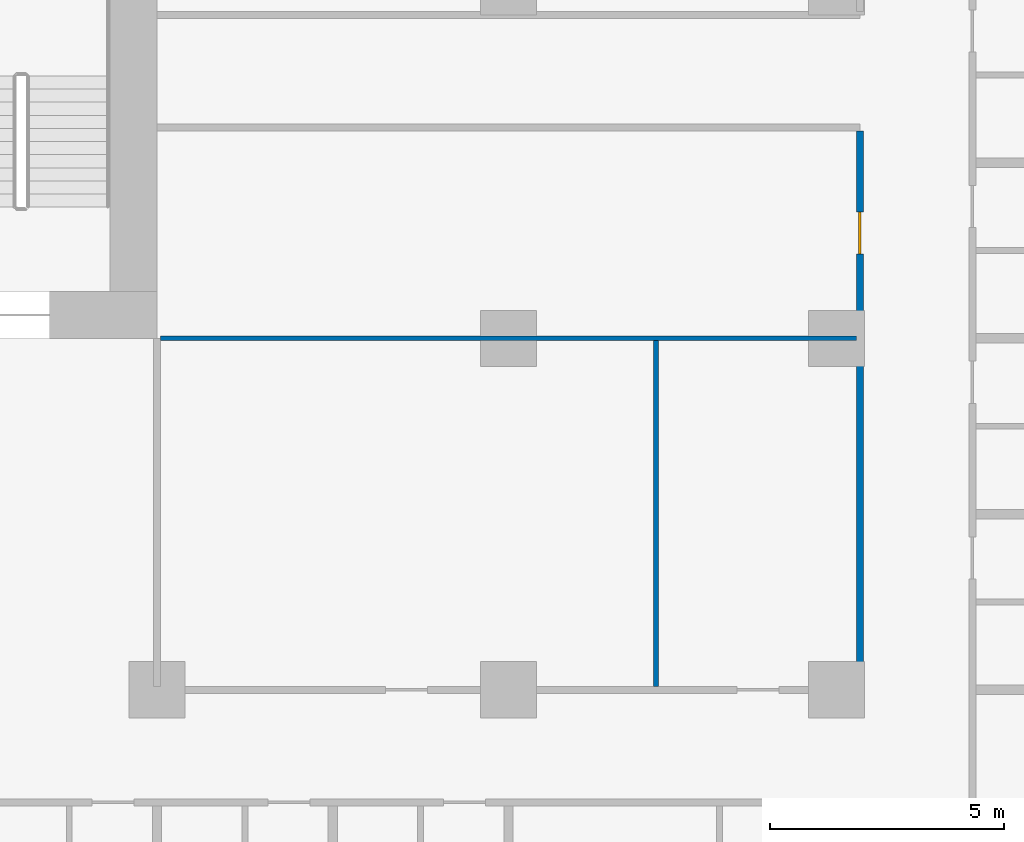
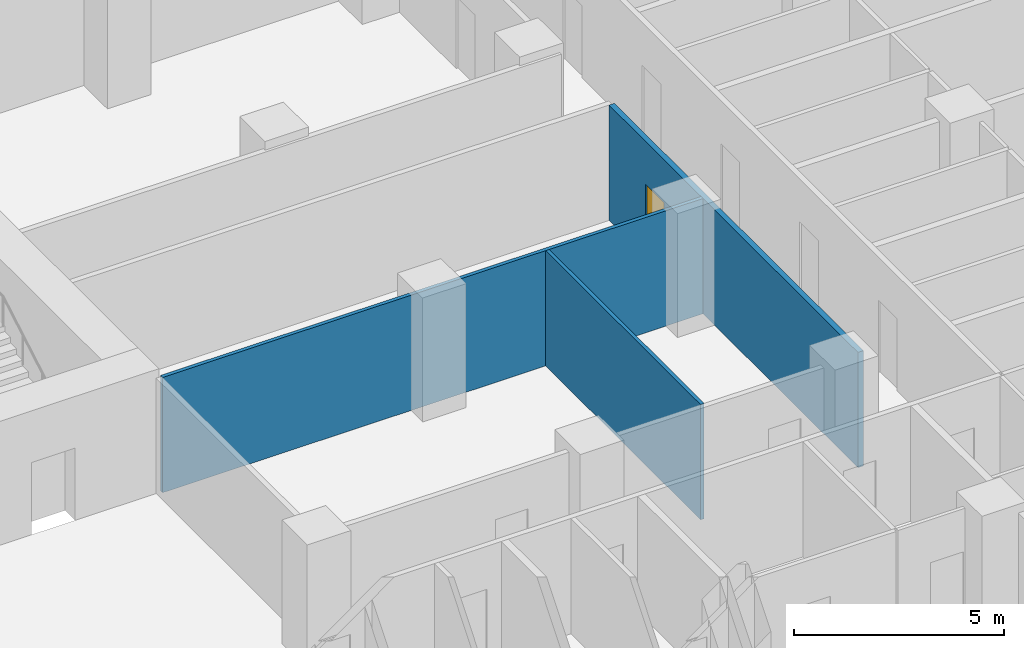
# One storey, part 8 of 27: 3 walls, 1 door, 1 opening.
"""IFC4 building model written with IfcOpenShell, lengths in metres."""

from ifc_helpers import new_model, si_unit, direction, frame, frame_2d, origin, place, context, subcontext, project, spatial, rectangle, extrude, material, layer, layer_set, type_object, element, fill, save


model = new_model("IFC4")

# Units and contexts
model_context = context("Model", 3, precision=1e-05, world=origin(), true_north=direction((0.0, 1.0)))
body_context = subcontext(model_context, "Body", "Model", "MODEL_VIEW")
ifc_project = project(units=[si_unit("LENGTHUNIT", "METRE"), si_unit("AREAUNIT", "SQUARE_METRE"), si_unit("VOLUMEUNIT", "CUBIC_METRE"), si_unit("PLANEANGLEUNIT", "RADIAN"), si_unit("MASSUNIT", "GRAM", prefix="KILO")], contexts=[model_context])

# Site, building, storey
site_placement = place(None, origin())
site = spatial("IfcSite", under=ifc_project, at=site_placement, CompositionType="ELEMENT")
building_placement = place(site_placement, origin())
building = spatial("IfcBuilding", under=site, at=building_placement, Name="Tamorin Gate", CompositionType="ELEMENT")
storey_placement = place(building_placement, frame((0.0, 0.0, 34.0)))
storey = spatial("IfcBuildingStorey", under=building, at=storey_placement, Name="L06", CompositionType="ELEMENT", Elevation=34.0)

# Wall, opening, door
ifc_material_1 = material(Name="Gypsum board partition")
ifc_layer_1 = layer(ifc_material_1, 0.14990234375)
ifc_layer_set_1 = layer_set([ifc_layer_1], Name="Corridor wall 150")
wall_type_1 = type_object("IfcWallType", Name="Corridor wall 150", PredefinedType="PARTITIONING", material=ifc_layer_set_1)
wall_1_placement = place(storey_placement, frame((75.0, 52.574951171875, 0.0), z_axis=(0.0, 0.0, 1.0), x_axis=(0.0, 1.0, 0.0)))
wall_1 = element("IfcWall", 1, at=wall_1_placement, inside=storey, type_object=wall_type_1, Name="Corridor wall 150", PredefinedType="PARTITIONING", context=body_context, shape_type="SweptSolid", body=[
    extrude(rectangle(XDim=11.85009765625, YDim=0.14990234375, at=frame_2d((5.925048828125, 0.0))), origin(), (0.0, 0.0, 1.0), 3.35009765625),
])
opening_placement = place(wall_1_placement, frame((9.22509765625, 0.0, 0.0)))
opening = element("IfcOpeningElement", 2, at=opening_placement, cuts=wall_1, Name="Opening DH1100", PredefinedType="OPENING", context=body_context, shape_type="SweptSolid", body=[
    extrude(rectangle(XDim=0.89990234375, YDim=2.10009765625, at=frame_2d((0.449951171875, 1.050048828125))), frame((0.0, 0.0849609375, 0.0), z_axis=(0.0, -1.0, 0.0), x_axis=(1.0, 0.0, 0.0)), (0.0, 0.0, 1.0), 0.169921875),
])
ifc_material_2 = material(Name="Timber door leaf", Category="wood")
door_type = type_object("IfcDoorType", Name="Door 900 x 2100 FD30S", OperationType="NOTDEFINED", PredefinedType="DOOR", material=ifc_material_2)
door_placement = place(opening_placement, origin())
door = element("IfcDoor", 3, at=door_placement, inside=storey, type_object=door_type, Name="Door DH1100", OperationType="SINGLE_SWING_LEFT", OverallHeight=2.10009765625, OverallWidth=0.89990234375, PredefinedType="DOOR", context=body_context, shape_type="SweptSolid", body=[
    extrude(rectangle(XDim=0.89990234375, YDim=2.10009765625, at=frame_2d((0.449951171875, 1.050048828125))), frame((0.0, 0.02490234375, 0.0), z_axis=(0.0, -1.0, 0.0), x_axis=(1.0, 0.0, 0.0)), (0.0, 0.0, 1.0), 0.050048828125),
])
fill(opening, door)

# Walls
ifc_layer_2 = layer(ifc_material_1, 0.10009765625)
ifc_layer_set_2 = layer_set([ifc_layer_2], Name="Room partition 100")
wall_type_2 = type_object("IfcWallType", Name="Room partition 100", PredefinedType="PARTITIONING", material=ifc_layer_set_2)
wall_2_placement = place(storey_placement, frame((60.074951171875, 60.0, 0.0), z_axis=(0.0, 0.0, 1.0), x_axis=(1.0, 0.0, 0.0)))
element("IfcWall", 4, at=wall_2_placement, inside=storey, type_object=wall_type_2, Name="Room partition 100", PredefinedType="PARTITIONING", context=body_context, shape_type="SweptSolid", body=[
    extrude(rectangle(XDim=14.85009765625, YDim=0.10009765625, at=frame_2d((7.425048828125, 0.0))), origin(), (0.0, 0.0, 1.0), 3.35009765625),
])
wall_3_placement = place(storey_placement, frame((70.64990234375, 52.574951171875, 0.0), z_axis=(0.0, 0.0, 1.0), x_axis=(0.0, 1.0, 0.0)))
element("IfcWall", 5, at=wall_3_placement, inside=storey, type_object=wall_type_2, Name="Room partition 100", PredefinedType="PARTITIONING", context=body_context, shape_type="SweptSolid", body=[
    extrude(rectangle(XDim=7.375, YDim=0.10009765625, at=frame_2d((3.6875, 0.0))), origin(), (0.0, 0.0, 1.0), 3.35009765625),
])

save(model, "model.ifc")
